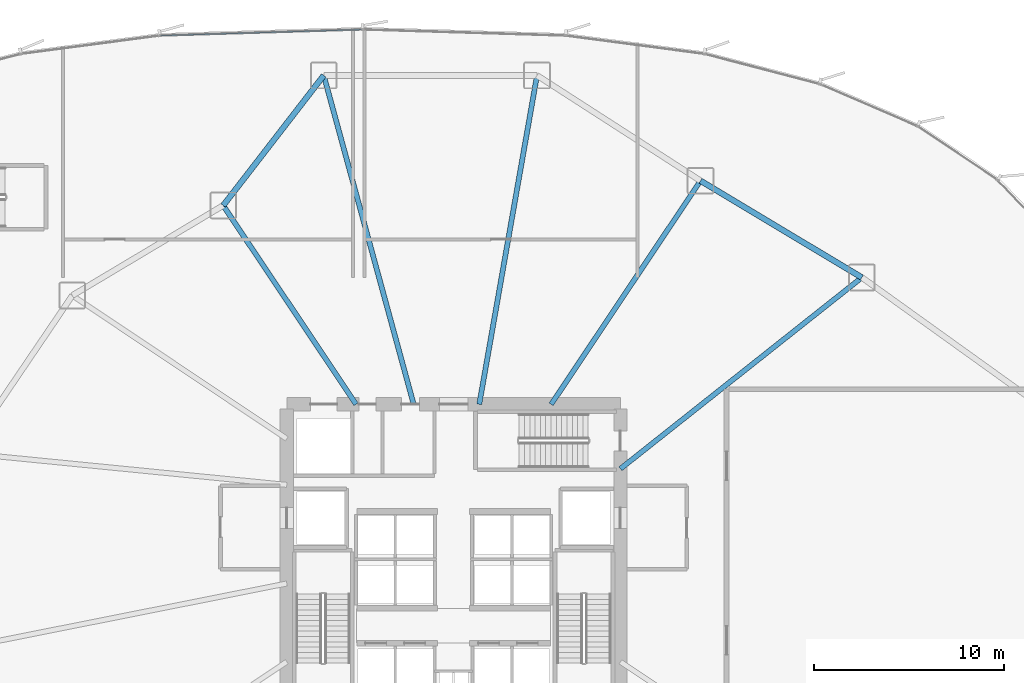
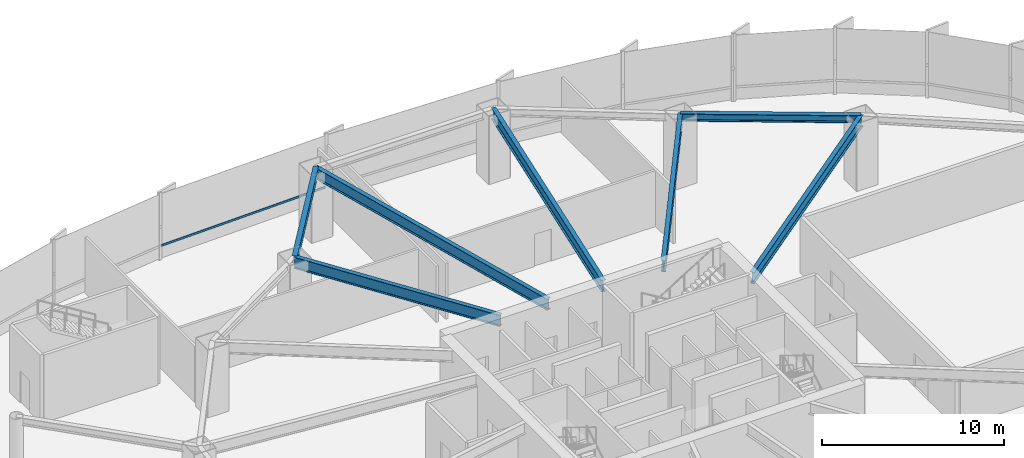
# One storey, part 13 of 33: 7 beams, 1 member, 1 element without a shape of its own.
"""IFC4 building model written with IfcOpenShell, lengths in metres."""

from ifc_helpers import new_model, si_unit, direction, frame, origin, origin_2d, place, context, subcontext, project, spatial, hollow_rectangle, i_section, extrude, source, transform, mapped, material, layer, layer_set, material_profile, profile_set, type_object, element, aggregate, save


model = new_model("IFC4")

# Units and contexts
model_context = context("Model", 3, precision=1e-05, world=origin(), true_north=direction((0.0, 1.0)))
body_context = subcontext(model_context, "Body", "Model", "MODEL_VIEW")
ifc_project = project(units=[si_unit("LENGTHUNIT", "METRE"), si_unit("AREAUNIT", "SQUARE_METRE"), si_unit("VOLUMEUNIT", "CUBIC_METRE"), si_unit("PLANEANGLEUNIT", "RADIAN"), si_unit("MASSUNIT", "GRAM", prefix="KILO"), si_unit("THERMODYNAMICTEMPERATUREUNIT", "KELVIN")], contexts=[model_context])

# Site, building, storey
site_placement = place(None, origin())
site = spatial("IfcSite", under=ifc_project, at=site_placement, CompositionType="ELEMENT")
building_placement = place(site_placement, origin())
building = spatial("IfcBuilding", under=site, at=building_placement, Name="Kethvar Cultural Tower", CompositionType="ELEMENT")
storey_placement = place(building_placement, frame((0.0, 0.0, 10.0)))
storey = spatial("IfcBuildingStorey", under=building, at=storey_placement, Name="L02", CompositionType="ELEMENT", Elevation=10.0)

# Beams
ifc_material_1 = material(Name="Steel S355J2", Category="steel")
ifc_material_profile_1 = material_profile(ifc_material_1, i_section(OverallWidth=0.300048828125, OverallDepth=0.5, WebThickness=0.014404296875, FlangeThickness=0.028076171875, FilletRadius=0.027099609375, at=origin_2d()), Name="Steel S355J2 — HEB500")
ifc_profile_set_1 = profile_set([ifc_material_profile_1], Name="Steel S355J2 — HEB500")
beam_type_1 = type_object("IfcBeamType", Name="BM-SP500", PredefinedType="SPANDREL", material=ifc_profile_set_1)
shared_shape_1 = source(origin(), body_context, "Body", "SweptSolid", [
    extrude(i_section(OverallWidth=0.300048828125, OverallDepth=0.5, WebThickness=0.014404296875, FlangeThickness=0.028076171875, FilletRadius=0.027099609375, at=origin_2d()), origin(), (0.0, 0.0, 1.0), 9.924072265625),
])
beam_1_placement = place(storey_placement, frame((68.33642578125, 42.190185546875, 4.278076171875), z_axis=(-0.857664361463, 0.514209921215, 0.0), x_axis=(-0.514209921215, -0.857664361463, 0.0)))
element("IfcBeam", 1, at=beam_1_placement, inside=storey, type_object=beam_type_1, Name="L02 Podium Ring Beam 02", PredefinedType="SPANDREL", context=body_context, shape_type="MappedRepresentation", body=[
    mapped(shared_shape_1, transform((0.0, 0.0, 0.0), scale=1.0)),
])
shared_shape_2 = source(origin(), body_context, "Body", "SweptSolid", [
    extrude(i_section(OverallWidth=0.300048828125, OverallDepth=0.5, WebThickness=0.014404296875, FlangeThickness=0.028076171875, FilletRadius=0.027099609375, at=origin_2d()), origin(), (0.0, 0.0, 1.0), 8.671630859375),
])
beam_2_placement = place(storey_placement, frame((39.949951171875, 52.85009765625, 4.278076171875), z_axis=(-0.611647801721, -0.791130183124, 0.0), x_axis=(0.791130183124, -0.611647801721, 0.0)))
element("IfcBeam", 2, at=beam_2_placement, inside=storey, type_object=beam_type_1, Name="L02 Podium Ring Beam 05", PredefinedType="SPANDREL", context=body_context, shape_type="MappedRepresentation", body=[
    mapped(shared_shape_2, transform((0.0, 0.0, 0.0), scale=1.0)),
])
ifc_material_profile_2 = material_profile(ifc_material_1, i_section(OverallWidth=0.26708984375, OverallDepth=0.761962890625, WebThickness=0.014404296875, FlangeThickness=0.021484375, FilletRadius=0.01708984375, at=origin_2d()), Name="Steel S355J2 — IPE750x173")
ifc_profile_set_2 = profile_set([ifc_material_profile_2], Name="Steel S355J2 — IPE750x173")
beam_type_2 = type_object("IfcBeamType", Name="BM-IPE750", PredefinedType="BEAM", material=ifc_profile_set_2)
shared_shape_3 = source(origin(), body_context, "Body", "SweptSolid", [
    extrude(i_section(OverallWidth=0.26708984375, OverallDepth=0.761962890625, WebThickness=0.014404296875, FlangeThickness=0.021484375, FilletRadius=0.01708984375, at=origin_2d()), origin(), (0.0, 0.0, 1.0), 16.248779296875),
])
beam_3_placement = place(storey_placement, frame((55.60009765625, 32.10009765625, 4.14697265625), z_axis=(0.783831288624, 0.620973840813, 0.0), x_axis=(-0.620973840813, 0.783831288624, 0.0)))
element("IfcBeam", 3, at=beam_3_placement, inside=storey, type_object=beam_type_2, Name="L02 Podium Radial Girder 02", PredefinedType="BEAM", context=body_context, shape_type="MappedRepresentation", body=[
    mapped(shared_shape_3, transform((0.0, 0.0, 0.0), scale=1.0)),
])
shared_shape_4 = source(origin(), body_context, "Body", "SweptSolid", [
    extrude(i_section(OverallWidth=0.26708984375, OverallDepth=0.761962890625, WebThickness=0.014404296875, FlangeThickness=0.021484375, FilletRadius=0.01708984375, at=origin_2d()), origin(), (0.0, 0.0, 1.0), 14.18359375),
])
beam_4_placement = place(storey_placement, frame((51.945068359375, 35.5, 4.14697265625), z_axis=(0.55556584065, 0.831472547174, 0.0), x_axis=(-0.831472547174, 0.55556584065, 0.0)))
element("IfcBeam", 4, at=beam_4_placement, inside=storey, type_object=beam_type_2, Name="L02 Podium Radial Girder 03", PredefinedType="BEAM", context=body_context, shape_type="MappedRepresentation", body=[
    mapped(shared_shape_4, transform((0.0, 0.0, 0.0), scale=1.0)),
])
shared_shape_5 = source(origin(), body_context, "Body", "SweptSolid", [
    extrude(i_section(OverallWidth=0.26708984375, OverallDepth=0.761962890625, WebThickness=0.014404296875, FlangeThickness=0.021484375, FilletRadius=0.01708984375, at=origin_2d()), origin(), (0.0, 0.0, 1.0), 17.61572265625),
])
beam_5_placement = place(storey_placement, frame((48.152587890625, 35.5, 4.14697265625), z_axis=(0.172991485085, 0.984923319903, 0.0), x_axis=(-0.984923319903, 0.172991485085, 0.0)))
element("IfcBeam", 5, at=beam_5_placement, inside=storey, type_object=beam_type_2, Name="L02 Podium Radial Girder 04", PredefinedType="BEAM", context=body_context, shape_type="MappedRepresentation", body=[
    mapped(shared_shape_5, transform((0.0, 0.0, 0.0), scale=1.0)),
])
shared_shape_6 = source(origin(), body_context, "Body", "SweptSolid", [
    extrude(i_section(OverallWidth=0.26708984375, OverallDepth=0.761962890625, WebThickness=0.014404296875, FlangeThickness=0.021484375, FilletRadius=0.01708984375, at=origin_2d()), origin(), (0.0, 0.0, 1.0), 17.987060546875),
])
beam_6_placement = place(storey_placement, frame((44.6943359375, 35.5, 4.14697265625), z_axis=(-0.26376624534, 0.964586630541, 0.0), x_axis=(-0.964586630541, -0.26376624534, 0.0)))
element("IfcBeam", 6, at=beam_6_placement, inside=storey, type_object=beam_type_2, Name="L02 Podium Radial Girder 05", PredefinedType="BEAM", context=body_context, shape_type="MappedRepresentation", body=[
    mapped(shared_shape_6, transform((0.0, 0.0, 0.0), scale=1.0)),
])
shared_shape_7 = source(origin(), body_context, "Body", "SweptSolid", [
    extrude(i_section(OverallWidth=0.26708984375, OverallDepth=0.761962890625, WebThickness=0.014404296875, FlangeThickness=0.021484375, FilletRadius=0.01708984375, at=origin_2d()), origin(), (0.0, 0.0, 1.0), 12.615966796875),
])
beam_7_placement = place(storey_placement, frame((41.655029296875, 35.5, 4.14697265625), z_axis=(-0.555570723257, 0.831469284736, 0.0), x_axis=(-0.831469284736, -0.555570723257, 0.0)))
element("IfcBeam", 7, at=beam_7_placement, inside=storey, type_object=beam_type_2, Name="L02 Podium Radial Girder 06", PredefinedType="BEAM", context=body_context, shape_type="MappedRepresentation", body=[
    mapped(shared_shape_7, transform((0.0, 0.0, 0.0), scale=1.0)),
])

# Curtain wall, member
ifc_material_2 = material(Name="Aluminium 6063-T6", Category="aluminium")
ifc_layer = layer(ifc_material_2, 0.179931640625, Name="Aluminium 6063-T6", Category="aluminium")
ifc_layer_set = layer_set([ifc_layer], Name="Aluminium 6063-T6 (180 mm)")
curtain_wall_type = type_object("IfcCurtainWallType", Name="CW-SYS-01-POD", PredefinedType="NOTDEFINED", material=ifc_layer_set)
curtain_wall_placement = place(storey_placement, origin())
curtain_wall = element("IfcCurtainWall", 8, at=curtain_wall_placement, inside=storey, type_object=curtain_wall_type, Name="L02 Curtain Wall Run 02", PredefinedType="NOTDEFINED")
ifc_material_profile_3 = material_profile(ifc_material_2, hollow_rectangle(XDim=0.06005859375, YDim=0.139892578125, WallThickness=0.0048828125, at=origin_2d()), Name="Aluminium 6063-T6 — RHS140x60x5")
ifc_profile_set_3 = profile_set([ifc_material_profile_3], Name="Aluminium 6063-T6 — RHS140x60x5")
member_type = type_object("IfcMemberType", Name="CW-SYS-01-POD-TRN", PredefinedType="USERDEFINED", material=ifc_profile_set_3)
shared_shape_8 = source(origin(), body_context, "Body", "SweptSolid", [
    extrude(hollow_rectangle(XDim=0.06005859375, YDim=0.139892578125, WallThickness=0.0048828125, at=origin_2d()), origin(), (0.0, 0.0, 1.0), 10.61279296875),
])
member_placement = place(storey_placement, frame((41.949951171875, 55.268310546875, 0.949951171875), z_axis=(-0.999545810513, -0.030135903608, 0.0), x_axis=(0.030135903608, -0.999545810513, 0.0)))
member = element("IfcMember", 9, at=member_placement, type_object=member_type, Name="CW-L02-R02 Transom 4", ObjectType="TRANSOM", PredefinedType="USERDEFINED", context=body_context, shape_type="MappedRepresentation", body=[
    mapped(shared_shape_8, transform((0.0, 0.0, 0.0), scale=1.0)),
])
aggregate(curtain_wall, [member])

save(model, "model.ifc")
